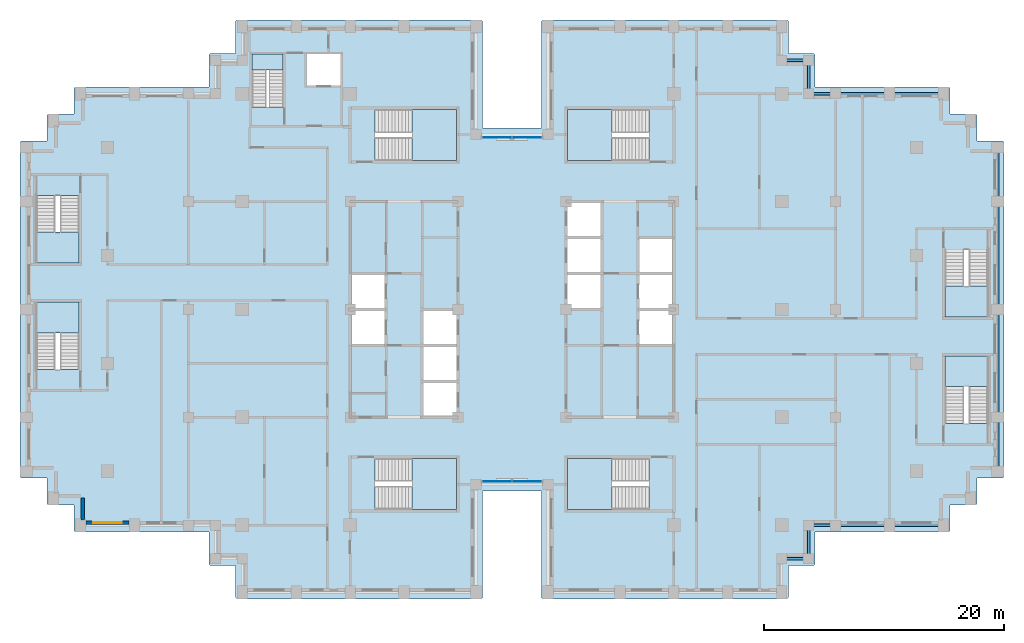
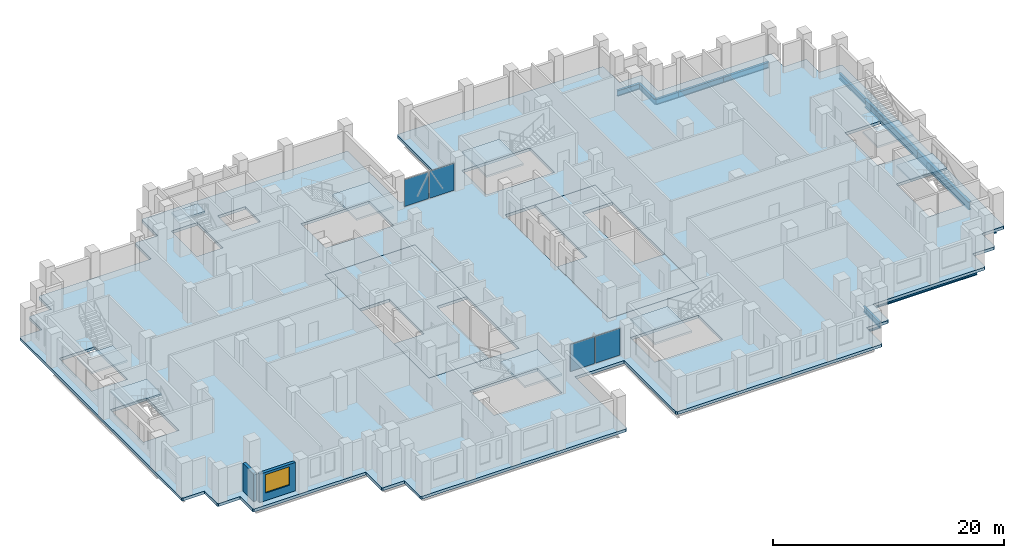
# One storey, part 5 of 16: 14 beams, 12 slabs, 4 plates, 2 walls, 1 window, 1 opening, 11 elements without a shape of their own.
"""IFC4 building model written with IfcOpenShell, lengths in metres."""

from ifc_helpers import new_model, si_unit, direction, frame, frame_2d, origin, origin_2d, place, context, subcontext, project, spatial, polyline, rectangle, i_section, outline, extrude, material, layer, layer_set, material_profile, profile_set, type_object, element, fill, aggregate, save


model = new_model("IFC4")

# Units and contexts
model_context = context("Model", 3, precision=1e-05, world=origin(), true_north=direction((0.0, 1.0)))
body_context = subcontext(model_context, "Body", "Model", "MODEL_VIEW")
ifc_project = project(units=[si_unit("LENGTHUNIT", "METRE"), si_unit("AREAUNIT", "SQUARE_METRE"), si_unit("VOLUMEUNIT", "CUBIC_METRE"), si_unit("PLANEANGLEUNIT", "RADIAN"), si_unit("MASSUNIT", "GRAM", prefix="KILO")], contexts=[model_context])

# Site, building, storey
site_placement = place(None, origin())
site = spatial("IfcSite", under=ifc_project, at=site_placement, CompositionType="ELEMENT")
building_placement = place(site_placement, origin())
building = spatial("IfcBuilding", under=site, at=building_placement, Name="Corbelhall Arena Tower", CompositionType="ELEMENT")
storey_placement = place(building_placement, frame((0.0, 0.0, 174.0)))
storey = spatial("IfcBuildingStorey", under=building, at=storey_placement, Name="L35", CompositionType="ELEMENT", Elevation=174.0)

# Beams
ifc_material_1 = material(Name="Steel ASTM A992 Gr50", Category="steel")
ifc_material_profile_1 = material_profile(ifc_material_1, i_section(OverallWidth=0.22900390625, OverallDepth=0.612060546875, WebThickness=0.011962890625, FlangeThickness=0.01953125, at=origin_2d()))
ifc_profile_set_1 = profile_set([ifc_material_profile_1], Name="Steel ASTM A992 Gr50")
beam_type_1 = type_object("IfcBeamType", Name="ST-SPANDREL-W24x84", PredefinedType="SPANDREL", material=ifc_profile_set_1)
for number, where, z_axis, x_axis, name in (
    (1, (40.5, 13.5, -0.60595703125), (0.0, -1.0, 0.0), (1.0, 0.0, 0.0), "Beam SP 10"),
    (2, (40.5, -9.0, -0.60595703125), (0.0, -1.0, 0.0), (1.0, 0.0, 0.0), "Beam SP 11"),
    (3, (31.5, 18.0, -0.60595703125), (1.0, 0.0, 0.0), (0.0, 1.0, 0.0), "Beam SP 12"),
    (4, (31.5, -18.0, -0.60595703125), (-1.0, 0.0, 0.0), (0.0, -1.0, 0.0), "Beam SP 13"),
    (5, (36.0, -18.0, -0.60595703125), (-1.0, 0.0, 0.0), (0.0, -1.0, 0.0), "Beam SP 14"),
    (6, (27.0, 18.0, -0.60595703125), (1.0, 0.0, 0.0), (0.0, 1.0, 0.0), "Beam SP 15"),
):
    element("IfcBeam", number, at=place(storey_placement, frame(where, z_axis=z_axis, x_axis=x_axis)), inside=storey, type_object=beam_type_1, Name=name, PredefinedType="SPANDREL", context=body_context, shape_type="SweptSolid", body=[
        extrude(i_section(OverallWidth=0.22900390625, OverallDepth=0.612060546875, WebThickness=0.011962890625, FlangeThickness=0.01953125, at=origin_2d()), origin(), (0.0, 0.0, 1.0), 4.5),
    ])
for number, where, z_axis, x_axis, name in (
    (7, (27.0, -18.0, -0.60595703125), (-1.0, 0.0, 0.0), (0.0, -1.0, 0.0), "Beam SP 16"),
    (8, (22.5, 20.800048828125, -0.60595703125), (1.0, 0.0, 0.0), (0.0, 1.0, 0.0), "Beam SP 43"),
):
    element("IfcBeam", number, at=place(storey_placement, frame(where, z_axis=z_axis, x_axis=x_axis)), inside=storey, type_object=beam_type_1, Name=name, PredefinedType="SPANDREL", context=body_context, shape_type="SweptSolid", body=[
        extrude(i_section(OverallWidth=0.22900390625, OverallDepth=0.612060546875, WebThickness=0.011962890625, FlangeThickness=0.01953125, at=origin_2d()), origin(), (0.0, 0.0, 1.0), 2.25),
    ])
beam_1_placement = place(storey_placement, frame((24.75, 20.800048828125, -0.60595703125), z_axis=(0.0, -1.0, 0.0), x_axis=(1.0, 0.0, 0.0)))
element("IfcBeam", 9, at=beam_1_placement, inside=storey, type_object=beam_type_1, Name="Beam SP 44", PredefinedType="SPANDREL", context=body_context, shape_type="SweptSolid", body=[
    extrude(i_section(OverallWidth=0.22900390625, OverallDepth=0.612060546875, WebThickness=0.011962890625, FlangeThickness=0.01953125, at=origin_2d()), origin(), (0.0, 0.0, 1.0), 2.800048828125),
])
for number, where, z_axis, x_axis, name in (
    (10, (24.75, 18.0, -0.60595703125), (1.0, 0.0, 0.0), (0.0, 1.0, 0.0), "Beam SP 45"),
    (11, (24.75, -20.800048828125, -0.60595703125), (-1.0, 0.0, 0.0), (0.0, -1.0, 0.0), "Beam SP 50"),
):
    element("IfcBeam", number, at=place(storey_placement, frame(where, z_axis=z_axis, x_axis=x_axis)), inside=storey, type_object=beam_type_1, Name=name, PredefinedType="SPANDREL", context=body_context, shape_type="SweptSolid", body=[
        extrude(i_section(OverallWidth=0.22900390625, OverallDepth=0.612060546875, WebThickness=0.011962890625, FlangeThickness=0.01953125, at=origin_2d()), origin(), (0.0, 0.0, 1.0), 2.25),
    ])
beam_2_placement = place(storey_placement, frame((24.75, -18.0, -0.60595703125), z_axis=(0.0, -1.0, 0.0), x_axis=(1.0, 0.0, 0.0)))
element("IfcBeam", 12, at=beam_2_placement, inside=storey, type_object=beam_type_1, Name="Beam SP 51", PredefinedType="SPANDREL", context=body_context, shape_type="SweptSolid", body=[
    extrude(i_section(OverallWidth=0.22900390625, OverallDepth=0.612060546875, WebThickness=0.011962890625, FlangeThickness=0.01953125, at=origin_2d()), origin(), (0.0, 0.0, 1.0), 2.800048828125),
])
ifc_material_profile_2 = material_profile(ifc_material_1, i_section(OverallWidth=0.2919921875, OverallDepth=0.845703125, WebThickness=0.015380859375, FlangeThickness=0.0244140625, at=origin_2d()))
ifc_profile_set_2 = profile_set([ifc_material_profile_2], Name="Steel ASTM A992 Gr50")
beam_type_2 = type_object("IfcBeamType", Name="ST-SPANDREL-W33x141", PredefinedType="SPANDREL", material=ifc_profile_set_2)
for number, where, z_axis, x_axis, name in (
    (13, (40.5, 0.0, -0.722900390625), (0.0, -1.0, 0.0), (1.0, 0.0, 0.0), "Beam SP 8"),
    (14, (40.5, 9.0, -0.722900390625), (0.0, -1.0, 0.0), (1.0, 0.0, 0.0), "Beam SP 9"),
):
    element("IfcBeam", number, at=place(storey_placement, frame(where, z_axis=z_axis, x_axis=x_axis)), inside=storey, type_object=beam_type_2, Name=name, PredefinedType="SPANDREL", context=body_context, shape_type="SweptSolid", body=[
        extrude(i_section(OverallWidth=0.2919921875, OverallDepth=0.845703125, WebThickness=0.015380859375, FlangeThickness=0.0244140625, at=origin_2d()), origin(), (0.0, 0.0, 1.0), 9.0),
    ])

# Curtain wall, plates
ifc_material_2 = material(Name="Aluminium black anodised", Category="aluminium")
ifc_layer_1 = layer(ifc_material_2, 0.199951171875)
ifc_layer_set_1 = layer_set([ifc_layer_1], Name="EV-CW1 Slot back wall")
curtain_wall_type = type_object("IfcCurtainWallType", Name="EV-CW1 Slot back wall", PredefinedType="NOTDEFINED", material=ifc_layer_set_1)
curtain_wall_1_placement = place(storey_placement, origin())
curtain_wall_1 = element("IfcCurtainWall", 15, at=curtain_wall_1_placement, inside=storey, type_object=curtain_wall_type, Name="Curtain wall CW1", PredefinedType="NOTDEFINED")
ifc_material_3 = material(Name="Glass dark tinted laminated", Category="glass")
ifc_layer_2 = layer(ifc_material_3, 0.028076171875)
ifc_layer_set_2 = layer_set([ifc_layer_2], Name="EV-CW1-PANEL")
plate_type = type_object("IfcPlateType", Name="EV-CW1-PANEL", PredefinedType="CURTAIN_PANEL", material=ifc_layer_set_2)
plate_1_placement = place(storey_placement, frame((-1.25634765625, -14.35009765625, 0.0751953125), z_axis=(0.0, 0.0, 1.0), x_axis=(1.0, 0.0, 0.0)))
plate_1 = element("IfcPlate", 16, at=plate_1_placement, type_object=plate_type, Name="CW1 panel 1.1", PredefinedType="CURTAIN_PANEL", context=body_context, shape_type="SweptSolid", body=[
    extrude(rectangle(XDim=2.4375, YDim=0.028076171875, at=origin_2d()), origin(), (0.0, 0.0, 1.0), 2.840087890625),
])
plate_2_placement = place(storey_placement, frame((1.25634765625, -14.35009765625, 0.0751953125), z_axis=(0.0, 0.0, 1.0), x_axis=(1.0, 0.0, 0.0)))
plate_2 = element("IfcPlate", 17, at=plate_2_placement, type_object=plate_type, Name="CW1 panel 2.1", PredefinedType="CURTAIN_PANEL", context=body_context, shape_type="SweptSolid", body=[
    extrude(rectangle(XDim=2.4375, YDim=0.028076171875, at=origin_2d()), origin(), (0.0, 0.0, 1.0), 2.840087890625),
])
aggregate(curtain_wall_1, [plate_1, plate_2])

curtain_wall_2_placement = place(storey_placement, origin())
curtain_wall_2 = element("IfcCurtainWall", 18, at=curtain_wall_2_placement, inside=storey, type_object=curtain_wall_type, Name="Curtain wall CW1", PredefinedType="NOTDEFINED")
plate_3_placement = place(storey_placement, frame((1.25634765625, 14.35009765625, 0.0751953125), z_axis=(0.0, 0.0, 1.0), x_axis=(-1.0, 0.0, 0.0)))
plate_3 = element("IfcPlate", 19, at=plate_3_placement, type_object=plate_type, Name="CW1 panel 1.1", PredefinedType="CURTAIN_PANEL", context=body_context, shape_type="SweptSolid", body=[
    extrude(rectangle(XDim=2.4375, YDim=0.028076171875, at=origin_2d()), origin(), (0.0, 0.0, 1.0), 2.840087890625),
])
plate_4_placement = place(storey_placement, frame((-1.25634765625, 14.35009765625, 0.0751953125), z_axis=(0.0, 0.0, 1.0), x_axis=(-1.0, 0.0, 0.0)))
plate_4 = element("IfcPlate", 20, at=plate_4_placement, type_object=plate_type, Name="CW1 panel 2.1", PredefinedType="CURTAIN_PANEL", context=body_context, shape_type="SweptSolid", body=[
    extrude(rectangle(XDim=2.4375, YDim=0.028076171875, at=origin_2d()), origin(), (0.0, 0.0, 1.0), 2.840087890625),
])
aggregate(curtain_wall_2, [plate_3, plate_4])

# Slabs
ifc_material_4 = material(Name="Concrete C40/50", Category="concrete")
ifc_layer_3 = layer(ifc_material_4, 0.300048828125)
ifc_layer_set_3 = layer_set([ifc_layer_3], Name="IN-SL-CORE")
slab_type_1 = type_object("IfcSlabType", Name="IN-SL-CORE", PredefinedType="FLOOR", material=ifc_layer_set_3)
slab_1_placement = place(storey_placement, frame((0.0, 0.0, -0.300048828125)))
element("IfcSlab", 21, at=slab_1_placement, inside=storey, type_object=slab_type_1, Name="Core floor W", PredefinedType="FLOOR", context=body_context, shape_type="SweptSolid", body=[
    extrude(outline(polyline([(-7.5, 0.0), (-4.5, 0.0), (-4.5, 9.0), (-13.5, 9.0), (-13.5, 3.0), (-10.5, 3.0), (-10.5, 0.0), (-10.5, -3.0), (-13.5, -3.0), (-13.5, -9.0), (-7.5, -9.0), (-7.5, -6.0), (-7.5, -3.0), (-7.5, 0.0)])), origin(), (0.0, 0.0, 1.0), 0.300048828125),
])
slab_2_placement = place(storey_placement, frame((0.0, 0.0, -0.300048828125)))
element("IfcSlab", 22, at=slab_2_placement, inside=storey, type_object=slab_type_1, Name="Core floor E", PredefinedType="FLOOR", context=body_context, shape_type="SweptSolid", body=[
    extrude(outline(polyline([(7.5, 0.0), (4.5, 0.0), (4.5, -9.0), (13.5, -9.0), (13.5, -3.0), (10.5, -3.0), (10.5, 0.0), (10.5, 3.0), (10.5, 6.0), (13.5, 6.0), (13.5, 9.0), (7.5, 9.0), (7.5, 6.0), (7.5, 3.0), (7.5, 0.0)])), origin(), (0.0, 0.0, 1.0), 0.300048828125),
])

# Stair, slab
stair_type = type_object("IfcStairType", Name="IN-ST-TOWER", PredefinedType="HALF_TURN_STAIR", material=ifc_material_4)
stair_1_placement = place(storey_placement, origin())
stair_1 = element("IfcStair", 23, at=stair_1_placement, inside=storey, type_object=stair_type, Name="L35 Exit stair ST1", PredefinedType="HALF_TURN_STAIR")
ifc_layer_4 = layer(ifc_material_4, 0.199951171875)
ifc_layer_set_4 = layer_set([ifc_layer_4], Name="IN-SL-LANDING")
slab_type_2 = type_object("IfcSlabType", Name="IN-SL-LANDING", PredefinedType="LANDING", material=ifc_layer_set_4)
slab_3_placement = place(storey_placement, frame((0.0, 0.0, 1.800048828125)))
slab_3 = element("IfcSlab", 24, at=slab_3_placement, type_object=slab_type_2, Name="ST1 landing 1", PredefinedType="LANDING", context=body_context, shape_type="SweptSolid", body=[
    extrude(outline(polyline([(-8.344970703125, 12.425048828125), (-4.625, 12.425048828125), (-4.625, 16.675048828125), (-8.344970703125, 16.675048828125), (-8.344970703125, 12.425048828125)])), origin(), (0.0, 0.0, 1.0), 0.199951171875),
])
aggregate(stair_1, [slab_3])

stair_2_placement = place(storey_placement, origin())
stair_2 = element("IfcStair", 25, at=stair_2_placement, inside=storey, type_object=stair_type, Name="L35 Exit stair ST2", PredefinedType="HALF_TURN_STAIR")
slab_4_placement = place(storey_placement, frame((0.0, 0.0, 1.800048828125)))
slab_4 = element("IfcSlab", 26, at=slab_4_placement, type_object=slab_type_2, Name="ST2 landing 1", PredefinedType="LANDING", context=body_context, shape_type="SweptSolid", body=[
    extrude(outline(polyline([(-8.344970703125, -16.675048828125), (-4.625, -16.675048828125), (-4.625, -12.425048828125), (-8.344970703125, -12.425048828125), (-8.344970703125, -16.675048828125)])), origin(), (0.0, 0.0, 1.0), 0.199951171875),
])
aggregate(stair_2, [slab_4])

stair_3_placement = place(storey_placement, origin())
stair_3 = element("IfcStair", 27, at=stair_3_placement, inside=storey, type_object=stair_type, Name="L35 Exit stair ST3", PredefinedType="HALF_TURN_STAIR")
slab_5_placement = place(storey_placement, frame((0.0, 0.0, 1.800048828125)))
slab_5 = element("IfcSlab", 28, at=slab_5_placement, type_object=slab_type_2, Name="ST3 landing 1", PredefinedType="LANDING", context=body_context, shape_type="SweptSolid", body=[
    extrude(outline(polyline([(8.344970703125, 16.675048828125), (4.625, 16.675048828125), (4.625, 12.425048828125), (8.344970703125, 12.425048828125), (8.344970703125, 16.675048828125)])), origin(), (0.0, 0.0, 1.0), 0.199951171875),
])
aggregate(stair_3, [slab_5])

stair_4_placement = place(storey_placement, origin())
stair_4 = element("IfcStair", 29, at=stair_4_placement, inside=storey, type_object=stair_type, Name="L35 Exit stair ST4", PredefinedType="HALF_TURN_STAIR")
slab_6_placement = place(storey_placement, frame((0.0, 0.0, 1.800048828125)))
slab_6 = element("IfcSlab", 30, at=slab_6_placement, type_object=slab_type_2, Name="ST4 landing 1", PredefinedType="LANDING", context=body_context, shape_type="SweptSolid", body=[
    extrude(outline(polyline([(8.344970703125, -12.425048828125), (4.625, -12.425048828125), (4.625, -16.675048828125), (8.344970703125, -16.675048828125), (8.344970703125, -12.425048828125)])), origin(), (0.0, 0.0, 1.0), 0.199951171875),
])
aggregate(stair_4, [slab_6])

stair_5_placement = place(storey_placement, origin())
stair_5 = element("IfcStair", 31, at=stair_5_placement, inside=storey, type_object=stair_type, Name="L35 Exit stair SC1", PredefinedType="HALF_TURN_STAIR")
slab_7_placement = place(storey_placement, frame((0.0, 0.0, 1.800048828125)))
slab_7 = element("IfcSlab", 32, at=slab_7_placement, type_object=slab_type_2, Name="SC1 landing 1", PredefinedType="LANDING", context=body_context, shape_type="SweptSolid", body=[
    extrude(outline(polyline([(-39.699951171875, 6.445068359375), (-39.699951171875, 3.875), (-36.125, 3.875), (-36.125, 6.445068359375), (-39.699951171875, 6.445068359375)])), origin(), (0.0, 0.0, 1.0), 0.199951171875),
])
aggregate(stair_5, [slab_7])

stair_6_placement = place(storey_placement, origin())
stair_6 = element("IfcStair", 33, at=stair_6_placement, inside=storey, type_object=stair_type, Name="L35 Exit stair SC2", PredefinedType="HALF_TURN_STAIR")
slab_8_placement = place(storey_placement, frame((0.0, 0.0, 1.800048828125)))
slab_8 = element("IfcSlab", 34, at=slab_8_placement, type_object=slab_type_2, Name="SC2 landing 1", PredefinedType="LANDING", context=body_context, shape_type="SweptSolid", body=[
    extrude(outline(polyline([(-36.125, -1.945068359375), (-36.125, 0.625), (-39.699951171875, 0.625), (-39.699951171875, -1.945068359375), (-36.125, -1.945068359375)])), origin(), (0.0, 0.0, 1.0), 0.199951171875),
])
aggregate(stair_6, [slab_8])

stair_7_placement = place(storey_placement, origin())
stair_7 = element("IfcStair", 35, at=stair_7_placement, inside=storey, type_object=stair_type, Name="L35 Exit stair SD1", PredefinedType="HALF_TURN_STAIR")
slab_9_placement = place(storey_placement, frame((0.0, 0.0, 1.800048828125)))
slab_9 = element("IfcSlab", 36, at=slab_9_placement, type_object=slab_type_2, Name="SD1 landing 1", PredefinedType="LANDING", context=body_context, shape_type="SweptSolid", body=[
    extrude(outline(polyline([(39.699951171875, -6.445068359375), (39.699951171875, -3.875), (36.125, -3.875), (36.125, -6.445068359375), (39.699951171875, -6.445068359375)])), origin(), (0.0, 0.0, 1.0), 0.199951171875),
])
aggregate(stair_7, [slab_9])

stair_8_placement = place(storey_placement, origin())
stair_8 = element("IfcStair", 37, at=stair_8_placement, inside=storey, type_object=stair_type, Name="L35 Exit stair SD2", PredefinedType="HALF_TURN_STAIR")
slab_10_placement = place(storey_placement, frame((0.0, 0.0, 1.800048828125)))
slab_10 = element("IfcSlab", 38, at=slab_10_placement, type_object=slab_type_2, Name="SD2 landing 1", PredefinedType="LANDING", context=body_context, shape_type="SweptSolid", body=[
    extrude(outline(polyline([(36.125, 1.945068359375), (36.125, -0.625), (39.699951171875, -0.625), (39.699951171875, 1.945068359375), (36.125, 1.945068359375)])), origin(), (0.0, 0.0, 1.0), 0.199951171875),
])
aggregate(stair_8, [slab_10])

stair_9_placement = place(storey_placement, origin())
stair_9 = element("IfcStair", 39, at=stair_9_placement, inside=storey, type_object=stair_type, Name="L35 Exit stair ST5", PredefinedType="HALF_TURN_STAIR")
slab_11_placement = place(storey_placement, frame((0.0, 0.0, 1.800048828125)))
slab_11 = element("IfcSlab", 40, at=slab_11_placement, type_object=slab_type_2, Name="ST5 landing 1", PredefinedType="LANDING", context=body_context, shape_type="SweptSolid", body=[
    extrude(outline(polyline([(-19.094970703125, 19.97998046875), (-19.094970703125, 21.300048828125), (-21.695068359375, 21.300048828125), (-21.695068359375, 19.97998046875), (-19.094970703125, 19.97998046875)])), origin(), (0.0, 0.0, 1.0), 0.199951171875),
])
aggregate(stair_9, [slab_11])

# Slab
ifc_layer_5 = layer(ifc_material_4, 0.300048828125)
ifc_layer_set_5 = layer_set([ifc_layer_5], Name="ST-SLAB-FLOOR-300")
slab_type_3 = type_object("IfcSlabType", Name="ST-SLAB-FLOOR-300", PredefinedType="FLOOR", material=ifc_layer_set_5)
slab_12_placement = place(storey_placement, frame((0.0, 0.0, -0.300048828125)))
element("IfcSlab", 41, at=slab_12_placement, inside=storey, type_object=slab_type_3, Name="Floor slab L35 1", PredefinedType="FLOOR", context=body_context, shape_type="SweptSolid", body=[
    extrude(outline(polyline([(25.300048828125, 18.550048828125), (25.300048828125, 21.25), (25.199951171875, 21.35009765625), (23.050048828125, 21.35009765625), (23.050048828125, 24.050048828125), (22.949951171875, 24.14990234375), (2.550048828125, 24.14990234375), (2.449951171875, 24.050048828125), (2.449951171875, 15.14990234375), (-2.449951171875, 15.14990234375), (-2.449951171875, 24.050048828125), (-2.550048828125, 24.14990234375), (-22.949951171875, 24.14990234375), (-23.050048828125, 24.050048828125), (-23.050048828125, 21.35009765625), (-25.199951171875, 21.35009765625), (-25.300048828125, 21.25), (-25.300048828125, 18.550048828125), (-36.449951171875, 18.550048828125), (-36.550048828125, 18.449951171875), (-36.550048828125, 16.300048828125), (-38.699951171875, 16.300048828125), (-38.800048828125, 16.199951171875), (-38.800048828125, 14.050048828125), (-40.949951171875, 14.050048828125), (-41.050048828125, 13.949951171875), (-41.050048828125, -13.949951171875), (-40.949951171875, -14.050048828125), (-38.800048828125, -14.050048828125), (-38.800048828125, -16.199951171875), (-38.699951171875, -16.300048828125), (-36.550048828125, -16.300048828125), (-36.550048828125, -18.449951171875), (-36.449951171875, -18.550048828125), (-25.300048828125, -18.550048828125), (-25.300048828125, -21.25), (-25.199951171875, -21.35009765625), (-23.050048828125, -21.35009765625), (-23.050048828125, -24.050048828125), (-22.949951171875, -24.14990234375), (-2.550048828125, -24.14990234375), (-2.449951171875, -24.050048828125), (-2.449951171875, -15.14990234375), (2.449951171875, -15.14990234375), (2.449951171875, -24.050048828125), (2.550048828125, -24.14990234375), (22.949951171875, -24.14990234375), (23.050048828125, -24.050048828125), (23.050048828125, -21.35009765625), (25.199951171875, -21.35009765625), (25.300048828125, -21.25), (25.300048828125, -18.550048828125), (36.449951171875, -18.550048828125), (36.550048828125, -18.449951171875), (36.550048828125, -16.300048828125), (38.699951171875, -16.300048828125), (38.800048828125, -16.199951171875), (38.800048828125, -14.050048828125), (40.949951171875, -14.050048828125), (41.050048828125, -13.949951171875), (41.050048828125, 13.949951171875), (40.949951171875, 14.050048828125), (38.800048828125, 14.050048828125), (38.800048828125, 16.199951171875), (38.699951171875, 16.300048828125), (36.550048828125, 16.300048828125), (36.550048828125, 18.449951171875), (36.449951171875, 18.550048828125), (25.300048828125, 18.550048828125)]), holes=[polyline([(-13.5, 9.0), (-13.5, -9.0), (-4.5, -9.0), (-4.5, 9.0), (-13.5, 9.0)]), polyline([(4.5, 9.0), (4.5, -9.0), (13.5, -9.0), (13.5, 9.0), (4.5, 9.0)]), polyline([(-4.625, 16.675048828125), (-11.422119140625, 16.675048828125), (-11.422119140625, 12.425048828125), (-4.625, 12.425048828125), (-4.625, 16.675048828125)]), polyline([(-4.625, -16.675048828125), (-4.625, -12.425048828125), (-11.422119140625, -12.425048828125), (-11.422119140625, -16.675048828125), (-4.625, -16.675048828125)]), polyline([(11.422119140625, 16.675048828125), (4.625, 16.675048828125), (4.625, 12.425048828125), (11.422119140625, 12.425048828125), (11.422119140625, 16.675048828125)]), polyline([(11.422119140625, -16.675048828125), (11.422119140625, -12.425048828125), (4.625, -12.425048828125), (4.625, -16.675048828125), (11.422119140625, -16.675048828125)]), polyline([(-36.125, 3.875), (-36.125, 9.52197265625), (-39.699951171875, 9.52197265625), (-39.699951171875, 3.875), (-36.125, 3.875)]), polyline([(-36.125, 0.625), (-39.699951171875, 0.625), (-39.699951171875, -5.02197265625), (-36.125, -5.02197265625), (-36.125, 0.625)]), polyline([(39.699951171875, -9.52197265625), (39.699951171875, -3.875), (36.125, -3.875), (36.125, -9.52197265625), (39.699951171875, -9.52197265625)]), polyline([(39.699951171875, 5.02197265625), (36.125, 5.02197265625), (36.125, -0.625), (39.699951171875, -0.625), (39.699951171875, 5.02197265625)]), polyline([(-21.695068359375, 21.300048828125), (-21.695068359375, 16.903076171875), (-19.094970703125, 16.903076171875), (-19.094970703125, 21.300048828125), (-21.695068359375, 21.300048828125)]), polyline([(-14.300048828125, 21.300048828125), (-17.10009765625, 21.300048828125), (-17.10009765625, 18.699951171875), (-14.300048828125, 18.699951171875), (-14.300048828125, 21.300048828125)])]), origin(), (0.0, 0.0, 1.0), 0.300048828125),
])

# Wall
ifc_material_5 = material(Name="Precast concrete C40/50 with granite facing", Category="masonry")
ifc_layer_6 = layer(ifc_material_5, 0.300048828125)
ifc_layer_set_6 = layer_set([ifc_layer_6], Name="EV-IW1 Infill panel 300")
wall_type = type_object("IfcWallType", Name="EV-IW1 Infill panel 300", PredefinedType="SOLIDWALL", material=ifc_layer_set_6)
wall_1_placement = place(storey_placement, frame((-35.800048828125, -17.550048828125, 0.0), z_axis=(0.0, 0.0, 1.0), x_axis=(0.0, 1.0, 0.0)))
element("IfcWall", 42, at=wall_1_placement, inside=storey, type_object=wall_type, Name="Infill panel IW1", PredefinedType="SOLIDWALL", context=body_context, shape_type="SweptSolid", body=[
    extrude(rectangle(XDim=1.800048828125, YDim=0.300048828125, at=frame_2d((0.89990234375, 0.0))), origin(), (0.0, 0.0, 1.0), 2.989990234375),
])

# Wall, opening, window
wall_2_placement = place(storey_placement, frame((-35.550048828125, -17.800048828125, 0.0), z_axis=(0.0, 0.0, 1.0), x_axis=(1.0, 0.0, 0.0)))
wall_2 = element("IfcWall", 43, at=wall_2_placement, inside=storey, type_object=wall_type, Name="Infill panel IW1", PredefinedType="SOLIDWALL", context=body_context, shape_type="SweptSolid", body=[
    extrude(rectangle(XDim=3.60009765625, YDim=0.300048828125, at=frame_2d((1.800048828125, 0.0))), origin(), (0.0, 0.0, 1.0), 2.989990234375),
])
opening_placement = place(wall_2_placement, frame((0.60009765625, 0.0, 0.800048828125)))
opening = element("IfcOpeningElement", 44, at=opening_placement, cuts=wall_2, Name="Opening WN1", PredefinedType="OPENING", context=body_context, shape_type="SweptSolid", body=[
    extrude(rectangle(XDim=2.39990234375, YDim=1.949951171875, at=frame_2d((1.199951171875, 0.97509765625))), frame((0.0, 0.14990234375, 0.0), z_axis=(0.0, -1.0, 0.0), x_axis=(1.0, 0.0, 0.0)), (0.0, 0.0, 1.0), 0.300048828125),
])
window_type = type_object("IfcWindowType", Name="EV-WN1 Office window", PartitioningType="SINGLE_PANEL", PredefinedType="WINDOW", material=ifc_material_2)
window_placement = place(opening_placement, origin())
window = element("IfcWindow", 45, at=window_placement, inside=storey, type_object=window_type, Name="Window WN1", OverallHeight=1.949951171875, OverallWidth=2.39990234375, PartitioningType="SINGLE_PANEL", PredefinedType="WINDOW", context=body_context, shape_type="SweptSolid", body=[
    extrude(rectangle(XDim=2.39990234375, YDim=1.949951171875, at=frame_2d((1.199951171875, 0.97509765625))), frame((0.0, 0.030029296875, 0.0), z_axis=(0.0, -1.0, 0.0), x_axis=(1.0, 0.0, 0.0)), (0.0, 0.0, 1.0), 0.06005859375),
])
fill(opening, window)

save(model, "model.ifc")
